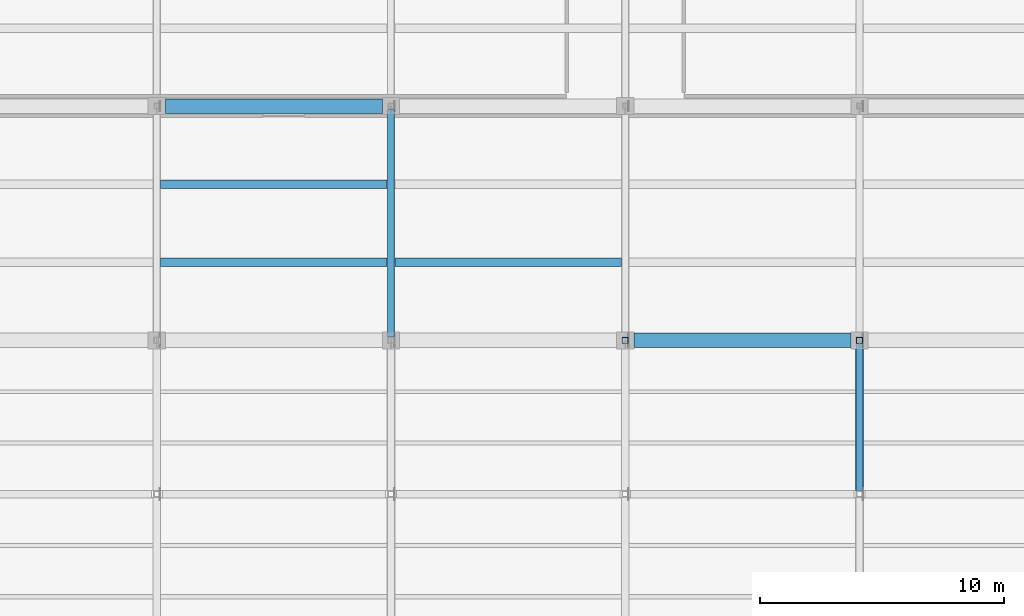
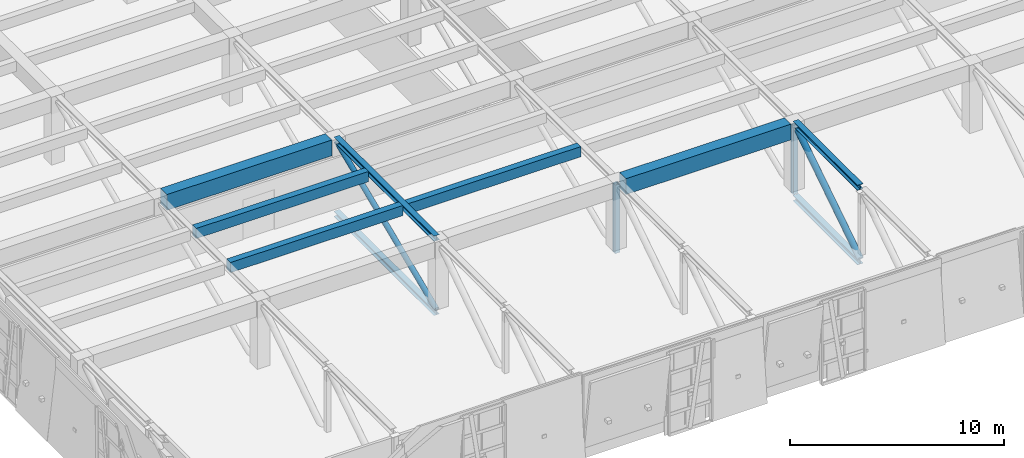
# One storey, part 10 of 62: 8 members, 5 beams.
"""IFC4 building model written with IfcOpenShell, lengths in metres."""

from ifc_helpers import new_model, si_unit, direction, frame, origin, origin_2d, place, context, subcontext, project, spatial, rectangle, hollow_rectangle, hollow_circle, i_section, extrude, material, material_profile, profile_set, type_object, element, save


model = new_model("IFC4")

# Units and contexts
model_context = context("Model", 3, precision=1e-05, world=origin(), true_north=direction((0.0, 1.0)))
body_context = subcontext(model_context, "Body", "Model", "MODEL_VIEW")
ifc_project = project(units=[si_unit("LENGTHUNIT", "METRE"), si_unit("AREAUNIT", "SQUARE_METRE"), si_unit("VOLUMEUNIT", "CUBIC_METRE"), si_unit("PLANEANGLEUNIT", "RADIAN"), si_unit("MASSUNIT", "GRAM", prefix="KILO")], contexts=[model_context])

# Site, building, storey
site_placement = place(None, origin())
site = spatial("IfcSite", under=ifc_project, at=site_placement, CompositionType="ELEMENT")
building_placement = place(site_placement, origin())
building = spatial("IfcBuilding", under=site, at=building_placement, Name="Bempovik Park Faculty of Sciences", CompositionType="ELEMENT")
storey_placement = place(building_placement, frame((0.0, 0.0, 9.89990234375)))
storey = spatial("IfcBuildingStorey", under=building, at=storey_placement, Name="L02", CompositionType="ELEMENT", Elevation=9.89990234375)

# Beams
ifc_material_1 = material(Name="Concrete C35/45", Category="concrete")
ifc_material_profile_1 = material_profile(ifc_material_1, rectangle(XDim=0.35009765625, YDim=0.580078125, at=origin_2d()), Name="RC 350x580")
ifc_profile_set_1 = profile_set([ifc_material_profile_1], Name="Concrete C35/45")
beam_type_1 = type_object("IfcBeamType", Name="B-107 RC 350x580", PredefinedType="JOIST", material=ifc_profile_set_1)
for number, where, z_axis, x_axis, name in (
    (1, (69.756103515625, 23.0, 3.610107421875), (1.0, 0.0, 0.0), (0.0, 1.0, 0.0), "L02 Secondary Joist (69.6-79.2, y=23.00)"),
    (2, (69.756103515625, 26.199951171875, 3.610107421875), (1.0, 0.0, 0.0), (0.0, 1.0, 0.0), "L02 Secondary Joist (69.6-79.2, y=26.20)"),
):
    element("IfcBeam", number, at=place(storey_placement, frame(where, z_axis=z_axis, x_axis=x_axis)), inside=storey, type_object=beam_type_1, Name=name, PredefinedType="JOIST", context=body_context, shape_type="SweptSolid", body=[
        extrude(rectangle(XDim=0.35009765625, YDim=0.580078125, at=origin_2d()), origin(), (0.0, 0.0, 1.0), 9.287841796875),
    ])
beam_placement = place(storey_placement, frame((79.35595703125, 23.0, 3.610107421875), z_axis=(1.0, 0.0, 0.0), x_axis=(0.0, 1.0, 0.0)))
element("IfcBeam", 3, at=beam_placement, inside=storey, type_object=beam_type_1, Name="L02 Secondary Joist (79.2-88.8, y=23.00)", PredefinedType="JOIST", context=body_context, shape_type="SweptSolid", body=[
    extrude(rectangle(XDim=0.35009765625, YDim=0.580078125, at=origin_2d()), origin(), (0.0, 0.0, 1.0), 9.2880859375),
])
ifc_material_2 = material(Name="Concrete C40/50", Category="concrete")
ifc_material_profile_2 = material_profile(ifc_material_2, rectangle(XDim=0.60009765625, YDim=0.89990234375, at=origin_2d()), Name="RC 600x900")
ifc_profile_set_2 = profile_set([ifc_material_profile_2], Name="Concrete C40/50")
beam_type_2 = type_object("IfcBeamType", Name="B-115 RC 600x900", PredefinedType="BEAM", material=ifc_profile_set_2)
for number, where, z_axis, x_axis, name in (
    (4, (89.156005859375, 19.800048828125, 3.4501953125), (1.0, 0.0, 0.0), (0.0, 1.0, 0.0), "L02 Beam X (88.8-98.4, y=19.8)"),
    (5, (69.9560546875, 29.39990234375, 3.4501953125), (1.0, 0.0, 0.0), (0.0, 1.0, 0.0), "L02 Beam X (69.6-79.2, y=29.4)"),
):
    element("IfcBeam", number, at=place(storey_placement, frame(where, z_axis=z_axis, x_axis=x_axis)), inside=storey, type_object=beam_type_2, Name=name, PredefinedType="BEAM", context=body_context, shape_type="SweptSolid", body=[
        extrude(rectangle(XDim=0.60009765625, YDim=0.89990234375, at=origin_2d()), origin(), (0.0, 0.0, 1.0), 8.887939453125),
    ])

# Members
ifc_material_3 = material(Name="Steel S355", Category="steel")
ifc_material_profile_3 = material_profile(ifc_material_3, i_section(OverallWidth=0.300048828125, OverallDepth=0.320068359375, WebThickness=0.011474609375, FlangeThickness=0.0205078125, at=origin_2d()), Name="HEB 320")
ifc_profile_set_3 = profile_set([ifc_material_profile_3], Name="Steel S355")
member_type_1 = type_object("IfcMemberType", Name="M-24 HEB 320", PredefinedType="CHORD", material=ifc_profile_set_3)
member_1_placement = place(storey_placement, frame((98.39990234375, 13.632080078125, -0.47998046875), z_axis=(0.0, 1.0, 0.0), x_axis=(-1.0, 0.0, 0.0)))
element("IfcMember", 6, at=member_1_placement, inside=storey, type_object=member_type_1, Name="Cantilever Truss 5 Bottom Chord 2", PredefinedType="CHORD", context=body_context, shape_type="SweptSolid", body=[
    extrude(i_section(OverallWidth=0.300048828125, OverallDepth=0.320068359375, WebThickness=0.011474609375, FlangeThickness=0.0205078125, at=origin_2d()), origin(), (0.0, 0.0, 1.0), 6.035888671875),
])
ifc_material_profile_4 = material_profile(ifc_material_3, hollow_circle(Radius=0.161865234375, WallThickness=0.01611328125, at=origin_2d()), Name="CHS 323.9x16")
ifc_profile_set_4 = profile_set([ifc_material_profile_4], Name="Steel S355")
member_type_2 = type_object("IfcMemberType", Name="M-38 CHS 323.9x16", PredefinedType="BRACE", material=ifc_profile_set_4)
member_2_placement = place(storey_placement, frame((98.39990234375, 13.635009765625, -0.31396484375), z_axis=(0.0, 0.839177969372, 0.543856907395), x_axis=(-1.0, 0.0, 0.0)))
element("IfcMember", 7, at=member_2_placement, inside=storey, type_object=member_type_2, Name="Cantilever Truss 5 L02 Diagonal 2", PredefinedType="BRACE", context=body_context, shape_type="SweptSolid", body=[
    extrude(hollow_circle(Radius=0.161865234375, WallThickness=0.01611328125, at=origin_2d()), origin(), (0.0, 0.0, 1.0), 7.185546875),
])
ifc_material_profile_5 = material_profile(ifc_material_3, i_section(OverallWidth=0.300048828125, OverallDepth=0.300048828125, WebThickness=0.010986328125, FlangeThickness=0.01904296875, at=origin_2d()), Name="HEB 300")
ifc_profile_set_5 = profile_set([ifc_material_profile_5], Name="Steel S355")
member_type_3 = type_object("IfcMemberType", Name="M-55 HEB 300", PredefinedType="CHORD", material=ifc_profile_set_5)
for number, where, z_axis, x_axis, name in (
    (8, (79.199951171875, 19.931884765625, -0.47998046875), (0.0, 1.0, 0.0), (-1.0, 0.0, 0.0), "Cantilever Truss 3 Bottom Chord 3"),
    (9, (79.199951171875, 19.931884765625, 3.75), (0.0, 1.0, 0.0), (-1.0, 0.0, 0.0), "Cantilever Truss 3 Mid Tie 3"),
):
    element("IfcMember", number, at=place(storey_placement, frame(where, z_axis=z_axis, x_axis=x_axis)), inside=storey, type_object=member_type_3, Name=name, PredefinedType="CHORD", context=body_context, shape_type="SweptSolid", body=[
        extrude(i_section(OverallWidth=0.300048828125, OverallDepth=0.300048828125, WebThickness=0.010986328125, FlangeThickness=0.01904296875, at=origin_2d()), origin(), (0.0, 0.0, 1.0), 9.336181640625),
    ])
member_3_placement = place(storey_placement, frame((98.39990234375, 13.632080078125, 3.75), z_axis=(0.0, 1.0, 0.0), x_axis=(-1.0, 0.0, 0.0)))
element("IfcMember", 10, at=member_3_placement, inside=storey, type_object=member_type_3, Name="Cantilever Truss 5 Mid Tie 2", PredefinedType="CHORD", context=body_context, shape_type="SweptSolid", body=[
    extrude(i_section(OverallWidth=0.300048828125, OverallDepth=0.300048828125, WebThickness=0.010986328125, FlangeThickness=0.01904296875, at=origin_2d()), origin(), (0.0, 0.0, 1.0), 6.035888671875),
])
ifc_material_profile_6 = material_profile(ifc_material_3, hollow_rectangle(XDim=0.25, YDim=0.25, WallThickness=0.012451171875, at=origin_2d()), Name="SHS 250x250x12.5")
ifc_profile_set_6 = profile_set([ifc_material_profile_6], Name="Steel S355")
member_type_4 = type_object("IfcMemberType", Name="M-64 SHS 250x250x12.5", PredefinedType="POST", material=ifc_profile_set_6)
for number, where, z_axis, x_axis, name in (
    (11, (88.800048828125, 19.800048828125, -0.31396484375), (0.0, 0.0, 1.0), (1.0, 0.0, 0.0), "Cantilever Truss 4 L02 Post 3"),
    (12, (98.39990234375, 19.800048828125, -0.31396484375), (0.0, 0.0, 1.0), (1.0, 0.0, 0.0), "Cantilever Truss 5 L02 Post 3"),
):
    element("IfcMember", number, at=place(storey_placement, frame(where, z_axis=z_axis, x_axis=x_axis)), inside=storey, type_object=member_type_4, Name=name, PredefinedType="POST", context=body_context, shape_type="SweptSolid", body=[
        extrude(hollow_rectangle(XDim=0.25, YDim=0.25, WallThickness=0.012451171875, at=origin_2d()), origin(), (0.0, 0.0, 1.0), 3.907958984375),
    ])
ifc_material_profile_7 = material_profile(ifc_material_3, hollow_circle(Radius=0.136474609375, WallThickness=0.012451171875, at=origin_2d()), Name="CHS 273x12.5")
ifc_profile_set_7 = profile_set([ifc_material_profile_7], Name="Steel S355")
member_type_5 = type_object("IfcMemberType", Name="M-78 CHS 273x12.5", PredefinedType="BRACE", material=ifc_profile_set_7)
member_4_placement = place(storey_placement, frame((79.199951171875, 19.93505859375, -0.31396484375), z_axis=(0.0, 0.922354795709, 0.386343928167), x_axis=(-1.0, 0.0, 0.0)))
element("IfcMember", 13, at=member_4_placement, inside=storey, type_object=member_type_5, Name="Cantilever Truss 3 L02 Diagonal 3", PredefinedType="BRACE", context=body_context, shape_type="SweptSolid", body=[
    extrude(hollow_circle(Radius=0.136474609375, WallThickness=0.012451171875, at=origin_2d()), origin(), (0.0, 0.0, 1.0), 10.115234375),
])

save(model, "model.ifc")
